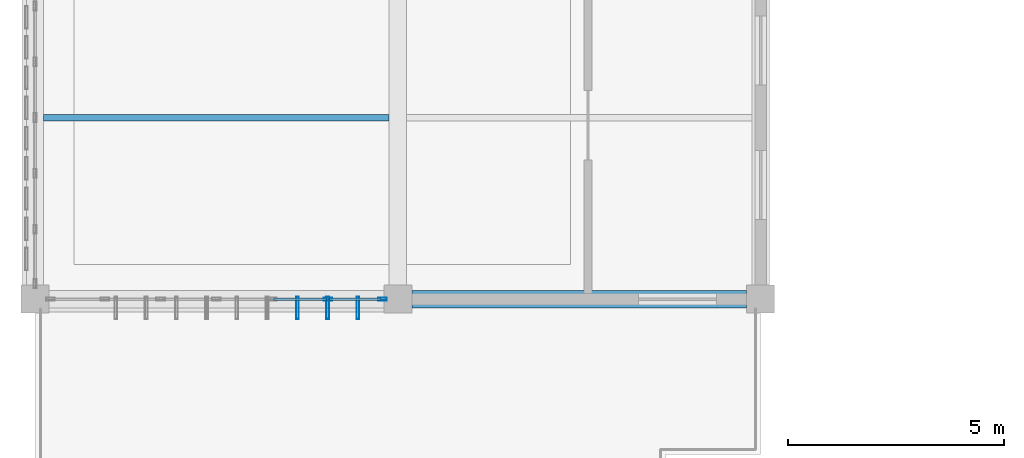
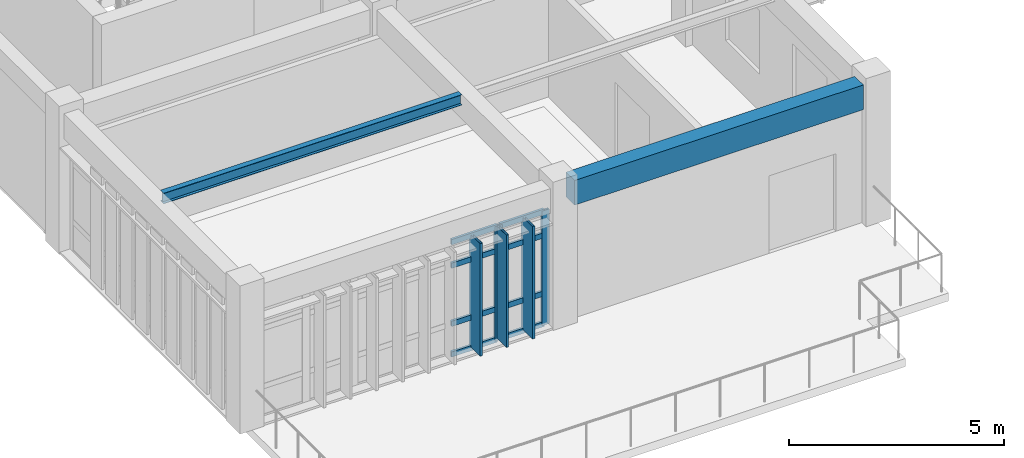
# One storey, part 5 of 23: 13 members, 2 beams, 1 element without a shape of its own.
"""IFC4 building model written with IfcOpenShell, lengths in metres."""

from ifc_helpers import new_model, si_unit, direction, frame, origin, origin_2d, place, context, subcontext, project, spatial, rectangle, hollow_rectangle, i_section, extrude, material, layer, layer_set, material_profile, profile_set, type_object, element, aggregate, save


model = new_model("IFC4")

# Units and contexts
model_context = context("Model", 3, precision=1e-05, world=origin(), true_north=direction((0.0, 1.0)))
body_context = subcontext(model_context, "Body", "Model", "MODEL_VIEW")
ifc_project = project(units=[si_unit("LENGTHUNIT", "METRE"), si_unit("AREAUNIT", "SQUARE_METRE"), si_unit("VOLUMEUNIT", "CUBIC_METRE"), si_unit("PLANEANGLEUNIT", "RADIAN"), si_unit("MASSUNIT", "GRAM", prefix="KILO")], contexts=[model_context])

# Site, building, storey
site_placement = place(None, origin())
site = spatial("IfcSite", under=ifc_project, at=site_placement, CompositionType="ELEMENT")
building_placement = place(site_placement, origin())
building = spatial("IfcBuilding", under=site, at=building_placement, Name="Krzemoval Escarpment Law Courts", CompositionType="ELEMENT")
storey_placement = place(building_placement, frame((0.0, 0.0, 25.199951171875)))
storey = spatial("IfcBuildingStorey", under=building, at=storey_placement, Name="L05", CompositionType="ELEMENT", Elevation=25.199951171875)

# Beam
ifc_material_1 = material(Name="Concrete C40/50", Category="concrete")
ifc_material_profile_1 = material_profile(ifc_material_1, rectangle(XDim=0.39990234375, YDim=0.699951171875, at=origin_2d()), Name="RCB 400x700")
ifc_profile_set_1 = profile_set([ifc_material_profile_1], Name="Concrete C40/50")
beam_type_1 = type_object("IfcBeamType", Name="BM-RC-400x700", PredefinedType="BEAM", material=ifc_profile_set_1)
beam_1_placement = place(storey_placement, frame((134.72509765625, 85.199951171875, 3.60009765625), z_axis=(1.0, 0.0, 0.0), x_axis=(0.0, 1.0, 0.0)))
element("IfcBeam", 1, at=beam_1_placement, inside=storey, type_object=beam_type_1, Name="Beam FG-L05-2567", PredefinedType="BEAM", context=body_context, shape_type="SweptSolid", body=[
    extrude(rectangle(XDim=0.39990234375, YDim=0.699951171875, at=origin_2d()), origin(), (0.0, 0.0, 1.0), 7.75),
])

# Curtain wall, members
ifc_material_2 = material(Name="Aluminium 6063-T6", Category="aluminium")
ifc_layer = layer(ifc_material_2, 0.219970703125)
ifc_layer_set = layer_set([ifc_layer], Name="Aluminium 6063-T6")
curtain_wall_type = type_object("IfcCurtainWallType", Name="CW-CHMB-4200", PredefinedType="USERDEFINED", material=ifc_layer_set)
curtain_wall_placement = place(storey_placement, origin())
curtain_wall = element("IfcCurtainWall", 2, at=curtain_wall_placement, inside=storey, type_object=curtain_wall_type, Name="Unitised Curtain Wall FCW-L05-133", ObjectType="UNITISED_CURTAIN_WALL", PredefinedType="USERDEFINED")
ifc_material_3 = material(Name="Aluminium 6063-T6", Category="aluminium")
ifc_material_profile_2 = material_profile(ifc_material_3, hollow_rectangle(XDim=0.06494140625, YDim=0.199951171875, WallThickness=0.00439453125, at=origin_2d()), Name="ALU M65x200")
ifc_profile_set_2 = profile_set([ifc_material_profile_2], Name="Aluminium 6063-T6")
member_type_1 = type_object("IfcMemberType", Name="CWM-65x200", PredefinedType="MULLION", material=ifc_profile_set_2)
member_1_placement = place(storey_placement, frame((134.04248046875, 85.199951171875, 0.0), z_axis=(0.0, 0.0, 1.0), x_axis=(0.0, -1.0, 0.0)))
member_1 = element("IfcMember", 3, at=member_1_placement, type_object=member_type_1, Name="FCW-L05-133 mullion 1", PredefinedType="MULLION", context=body_context, shape_type="SweptSolid", body=[
    extrude(hollow_rectangle(XDim=0.06494140625, YDim=0.199951171875, WallThickness=0.00439453125, at=origin_2d()), origin(), (0.0, 0.0, 1.0), 3.25),
])
member_2_placement = place(storey_placement, frame((132.783447265625, 85.199951171875, 0.0), z_axis=(0.0, 0.0, 1.0), x_axis=(0.0, -1.0, 0.0)))
member_2 = element("IfcMember", 4, at=member_2_placement, type_object=member_type_1, Name="FCW-L05-133 mullion 2", PredefinedType="MULLION", context=body_context, shape_type="SweptSolid", body=[
    extrude(hollow_rectangle(XDim=0.06494140625, YDim=0.199951171875, WallThickness=0.00439453125, at=origin_2d()), origin(), (0.0, 0.0, 1.0), 3.25),
])
ifc_material_4 = material(Name="Aluminium 6063-T6", Category="aluminium")
ifc_material_profile_3 = material_profile(ifc_material_4, hollow_rectangle(XDim=0.06494140625, YDim=0.14990234375, WallThickness=0.00439453125, at=origin_2d()), Name="ALU T65x150")
ifc_profile_set_3 = profile_set([ifc_material_profile_3], Name="Aluminium 6063-T6")
member_type_2 = type_object("IfcMemberType", Name="CWT-65x150", PredefinedType="USERDEFINED", material=ifc_profile_set_3)
member_3_placement = place(storey_placement, frame((134.010009765625, 85.199951171875, 0.032470703125), z_axis=(-1.0, 0.0, 0.0), x_axis=(0.0, -1.0, 0.0)))
member_3 = element("IfcMember", 5, at=member_3_placement, type_object=member_type_2, Name="FCW-L05-133 transom 1.1", ObjectType="TRANSOM", PredefinedType="USERDEFINED", context=body_context, shape_type="SweptSolid", body=[
    extrude(hollow_rectangle(XDim=0.06494140625, YDim=0.14990234375, WallThickness=0.00439453125, at=origin_2d()), origin(), (0.0, 0.0, 1.0), 1.194091796875),
])
member_4_placement = place(storey_placement, frame((134.010009765625, 85.199951171875, 0.900146484375), z_axis=(-1.0, 0.0, 0.0), x_axis=(0.0, -1.0, 0.0)))
member_4 = element("IfcMember", 6, at=member_4_placement, type_object=member_type_2, Name="FCW-L05-133 transom 1.2", ObjectType="TRANSOM", PredefinedType="USERDEFINED", context=body_context, shape_type="SweptSolid", body=[
    extrude(hollow_rectangle(XDim=0.06494140625, YDim=0.14990234375, WallThickness=0.00439453125, at=origin_2d()), origin(), (0.0, 0.0, 1.0), 1.194091796875),
])
member_5_placement = place(storey_placement, frame((134.010009765625, 85.199951171875, 2.550048828125), z_axis=(-1.0, 0.0, 0.0), x_axis=(0.0, -1.0, 0.0)))
member_5 = element("IfcMember", 7, at=member_5_placement, type_object=member_type_2, Name="FCW-L05-133 transom 1.3", ObjectType="TRANSOM", PredefinedType="USERDEFINED", context=body_context, shape_type="SweptSolid", body=[
    extrude(hollow_rectangle(XDim=0.06494140625, YDim=0.14990234375, WallThickness=0.00439453125, at=origin_2d()), origin(), (0.0, 0.0, 1.0), 1.194091796875),
])
member_6_placement = place(storey_placement, frame((134.010009765625, 85.199951171875, 3.217529296875), z_axis=(-1.0, 0.0, 0.0), x_axis=(0.0, -1.0, 0.0)))
member_6 = element("IfcMember", 8, at=member_6_placement, type_object=member_type_2, Name="FCW-L05-133 transom 1.4", ObjectType="TRANSOM", PredefinedType="USERDEFINED", context=body_context, shape_type="SweptSolid", body=[
    extrude(hollow_rectangle(XDim=0.06494140625, YDim=0.14990234375, WallThickness=0.00439453125, at=origin_2d()), origin(), (0.0, 0.0, 1.0), 1.194091796875),
])
member_7_placement = place(storey_placement, frame((132.750732421875, 85.199951171875, 0.032470703125), z_axis=(-1.0, 0.0, 0.0), x_axis=(0.0, -1.0, 0.0)))
member_7 = element("IfcMember", 9, at=member_7_placement, type_object=member_type_2, Name="FCW-L05-133 transom 2.1", ObjectType="TRANSOM", PredefinedType="USERDEFINED", context=body_context, shape_type="SweptSolid", body=[
    extrude(hollow_rectangle(XDim=0.06494140625, YDim=0.14990234375, WallThickness=0.00439453125, at=origin_2d()), origin(), (0.0, 0.0, 1.0), 1.2265625),
])
member_8_placement = place(storey_placement, frame((132.750732421875, 85.199951171875, 0.900146484375), z_axis=(-1.0, 0.0, 0.0), x_axis=(0.0, -1.0, 0.0)))
member_8 = element("IfcMember", 10, at=member_8_placement, type_object=member_type_2, Name="FCW-L05-133 transom 2.2", ObjectType="TRANSOM", PredefinedType="USERDEFINED", context=body_context, shape_type="SweptSolid", body=[
    extrude(hollow_rectangle(XDim=0.06494140625, YDim=0.14990234375, WallThickness=0.00439453125, at=origin_2d()), origin(), (0.0, 0.0, 1.0), 1.2265625),
])
member_9_placement = place(storey_placement, frame((132.750732421875, 85.199951171875, 2.550048828125), z_axis=(-1.0, 0.0, 0.0), x_axis=(0.0, -1.0, 0.0)))
member_9 = element("IfcMember", 11, at=member_9_placement, type_object=member_type_2, Name="FCW-L05-133 transom 2.3", ObjectType="TRANSOM", PredefinedType="USERDEFINED", context=body_context, shape_type="SweptSolid", body=[
    extrude(hollow_rectangle(XDim=0.06494140625, YDim=0.14990234375, WallThickness=0.00439453125, at=origin_2d()), origin(), (0.0, 0.0, 1.0), 1.2265625),
])
member_10_placement = place(storey_placement, frame((132.750732421875, 85.199951171875, 3.217529296875), z_axis=(-1.0, 0.0, 0.0), x_axis=(0.0, -1.0, 0.0)))
member_10 = element("IfcMember", 12, at=member_10_placement, type_object=member_type_2, Name="FCW-L05-133 transom 2.4", ObjectType="TRANSOM", PredefinedType="USERDEFINED", context=body_context, shape_type="SweptSolid", body=[
    extrude(hollow_rectangle(XDim=0.06494140625, YDim=0.14990234375, WallThickness=0.00439453125, at=origin_2d()), origin(), (0.0, 0.0, 1.0), 1.2265625),
])
aggregate(curtain_wall, [member_1, member_2, member_3, member_4, member_5, member_6, member_7, member_8, member_9, member_10])

# Beam
ifc_material_5 = material(Name="Steel S355", Category="steel")
ifc_material_profile_4 = material_profile(ifc_material_5, i_section(OverallWidth=0.14990234375, OverallDepth=0.300048828125, WebThickness=0.007080078125, FlangeThickness=0.0107421875, at=origin_2d()), Name="IPE 300")
ifc_profile_set_4 = profile_set([ifc_material_profile_4], Name="Steel S355")
beam_type_2 = type_object("IfcBeamType", Name="JST-S355-IPE300", PredefinedType="JOIST", material=ifc_profile_set_4)
beam_2_placement = place(storey_placement, frame((126.199951171875, 89.39990234375, 3.800048828125), z_axis=(1.0, 0.0, 0.0), x_axis=(0.0, 1.0, 0.0)))
element("IfcBeam", 13, at=beam_2_placement, inside=storey, type_object=beam_type_2, Name="Secondary Joist FJ-L05-2632", PredefinedType="JOIST", context=body_context, shape_type="SweptSolid", body=[
    extrude(i_section(OverallWidth=0.14990234375, OverallDepth=0.300048828125, WebThickness=0.007080078125, FlangeThickness=0.0107421875, at=origin_2d()), origin(), (0.0, 0.0, 1.0), 8.0),
])

# Members
ifc_material_6 = material(Name="Anodised Aluminium Alloy 6063-T6", Category="aluminium")
ifc_material_profile_5 = material_profile(ifc_material_6, hollow_rectangle(XDim=0.06494140625, YDim=0.52001953125, WallThickness=0.00439453125, at=origin_2d()), Name="ALU LVR 65x520")
ifc_profile_set_5 = profile_set([ifc_material_profile_5], Name="Anodised Aluminium Alloy 6063-T6")
member_type_3 = type_object("IfcMemberType", Name="LVR-ALU-520", PredefinedType="USERDEFINED", material=ifc_profile_set_5)
for number, where, z_axis, x_axis, name in (
    (14, (133.47509765625, 85.0, 0.06005859375), (0.0, 0.0, 1.0), (1.0, 0.0, 0.0), "Sunshade Louvre Fin FLV-L05-0897"),
    (15, (132.77490234375, 85.0, 0.06005859375), (0.0, 0.0, 1.0), (1.0, 0.0, 0.0), "Sunshade Louvre Fin FLV-L05-0898"),
    (16, (132.074951171875, 85.0, 0.06005859375), (0.0, 0.0, 1.0), (1.0, 0.0, 0.0), "Sunshade Louvre Fin FLV-L05-0899"),
):
    element("IfcMember", number, at=place(storey_placement, frame(where, z_axis=z_axis, x_axis=x_axis)), inside=storey, type_object=member_type_3, Name=name, ObjectType="SUNSHADE_LOUVRE", PredefinedType="USERDEFINED", context=body_context, shape_type="SweptSolid", body=[
        extrude(hollow_rectangle(XDim=0.06494140625, YDim=0.52001953125, WallThickness=0.00439453125, at=origin_2d()), origin(), (0.0, 0.0, 1.0), 3.18994140625),
    ])

save(model, "model.ifc")
